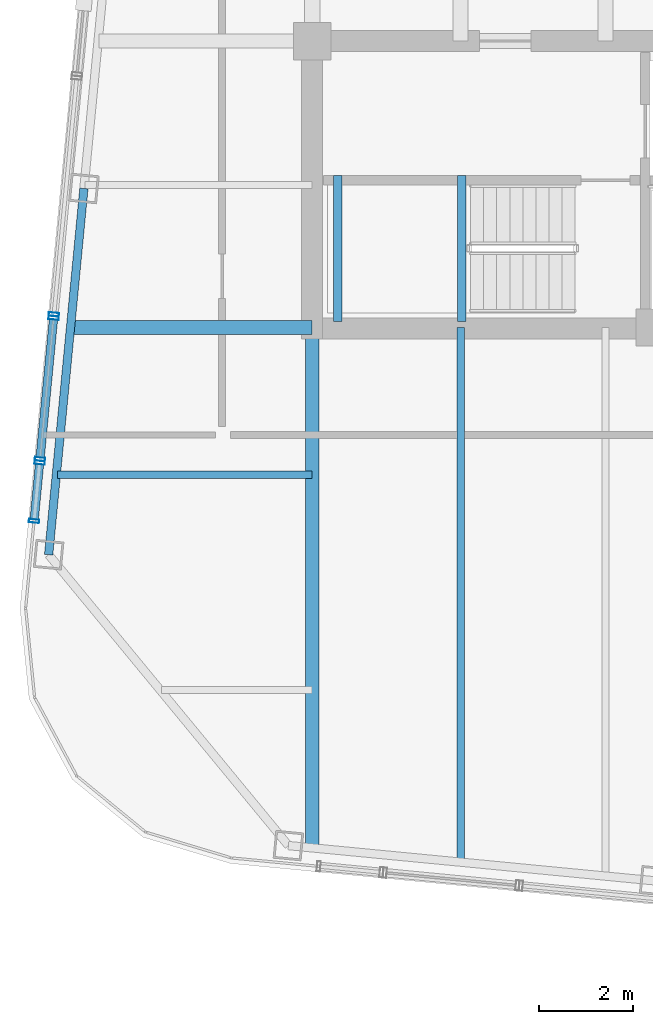
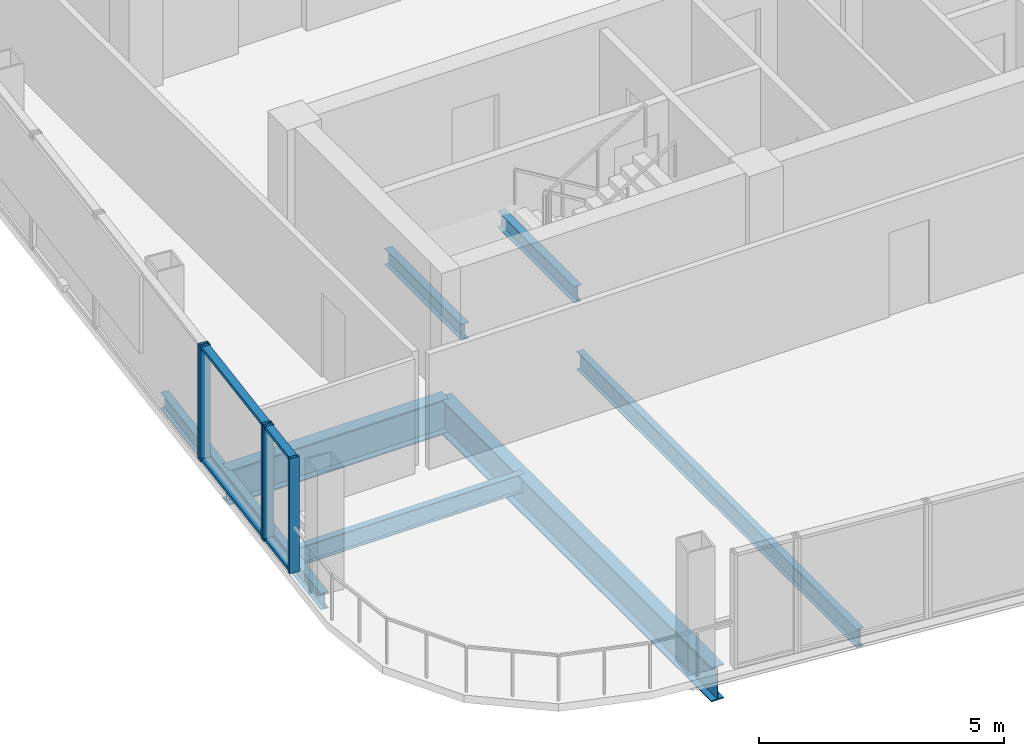
# One storey, part 3 of 26: 9 members, 7 beams, 3 elements without a shape of their own.
"""IFC4 building model written with IfcOpenShell, lengths in metres."""

from ifc_helpers import new_model, si_unit, direction, frame, origin, origin_2d, place, context, subcontext, project, spatial, hollow_rectangle, i_section, extrude, material, layer, layer_set, material_profile, profile_set, type_object, element, aggregate, save


model = new_model("IFC4")

# Units and contexts
model_context = context("Model", 3, precision=1e-05, world=origin(), true_north=direction((0.0, 1.0)))
body_context = subcontext(model_context, "Body", "Model", "MODEL_VIEW")
ifc_project = project(units=[si_unit("LENGTHUNIT", "METRE"), si_unit("AREAUNIT", "SQUARE_METRE"), si_unit("VOLUMEUNIT", "CUBIC_METRE"), si_unit("PLANEANGLEUNIT", "RADIAN"), si_unit("MASSUNIT", "GRAM", prefix="KILO")], contexts=[model_context])

# Site, building, storey
site_placement = place(None, origin())
site = spatial("IfcSite", under=ifc_project, at=site_placement, CompositionType="ELEMENT")
building_placement = place(site_placement, origin())
building = spatial("IfcBuilding", under=site, at=building_placement, Name="Qhalaya Broadcast Tower", CompositionType="ELEMENT")
storey_placement = place(building_placement, frame((0.0, 0.0, 248.949951171875)))
storey = spatial("IfcBuildingStorey", under=building, at=storey_placement, Name="L73", CompositionType="ELEMENT", Elevation=248.949951171875)

# Beams
ifc_material_1 = material(Name="Structural Steel ASTM A992 Grade 50", Category="steel")
ifc_material_profile_1 = material_profile(ifc_material_1, i_section(OverallWidth=0.154052734375, OverallDepth=0.458984375, WebThickness=0.009033203125, FlangeThickness=0.015380859375, at=origin_2d()), Name="W18X46")
ifc_profile_set_1 = profile_set([ifc_material_profile_1], Name="Structural Steel ASTM A992 Grade 50")
beam_type_1 = type_object("IfcBeamType", Name="Composite Floor Joist J04", PredefinedType="JOIST", material=ifc_profile_set_1)
beam_1_placement = place(storey_placement, frame((-6.199951171875, -20.1630859375, -0.41943359375), z_axis=(0.0, 1.0, 0.0), x_axis=(-1.0, 0.0, 0.0)))
element("IfcBeam", 1, at=beam_1_placement, inside=storey, type_object=beam_type_1, Name="L73 J04 L73-JNS1-1", PredefinedType="JOIST", context=body_context, shape_type="SweptSolid", body=[
    extrude(i_section(OverallWidth=0.154052734375, OverallDepth=0.458984375, WebThickness=0.009033203125, FlangeThickness=0.015380859375, at=origin_2d()), origin(), (0.0, 0.0, 1.0), 11.4130859375),
])
beam_2_placement = place(storey_placement, frame((-14.82568359375, -11.89990234375, -0.41943359375), z_axis=(1.0, 0.0, 0.0), x_axis=(0.0, 1.0, 0.0)))
element("IfcBeam", 2, at=beam_2_placement, inside=storey, type_object=beam_type_1, Name="L73 J04 L73-JWE2W-1", PredefinedType="JOIST", context=body_context, shape_type="SweptSolid", body=[
    extrude(i_section(OverallWidth=0.154052734375, OverallDepth=0.458984375, WebThickness=0.009033203125, FlangeThickness=0.015380859375, at=origin_2d()), origin(), (0.0, 0.0, 1.0), 5.45068359375),
])

# Curtain wall, member
ifc_material_2 = material(Name="Fired Architectural Terracotta", Category="masonry")
ifc_layer_1 = layer(ifc_material_2, 0.219970703125, Name="Fired Architectural Terracotta")
ifc_layer_set_1 = layer_set([ifc_layer_1], Name="Fired Architectural Terracotta")
curtain_wall_type_1 = type_object("IfcCurtainWallType", Name="Block-Cap Unitised Terracotta Spandrel Wall CW-07", PredefinedType="NOTDEFINED", material=ifc_layer_set_1)
curtain_wall_1_placement = place(storey_placement, origin())
curtain_wall_1 = element("IfcCurtainWall", 3, at=curtain_wall_1_placement, inside=storey, type_object=curtain_wall_type_1, Name="L73 Unitised Curtain Wall L73-CW-W5", PredefinedType="NOTDEFINED")
ifc_material_3 = material(Name="Anodised Aluminium 6063-T6", Category="aluminium")
ifc_material_profile_2 = material_profile(ifc_material_3, hollow_rectangle(XDim=0.074951171875, YDim=0.219970703125, WallThickness=0.00390625, at=origin_2d()), Name="ALU-MUL 75x220x4")
ifc_profile_set_2 = profile_set([ifc_material_profile_2], Name="Anodised Aluminium 6063-T6")
member_type_1 = type_object("IfcMemberType", Name="Unitised Curtain-Wall Mullion M01", PredefinedType="MULLION", material=ifc_profile_set_2)
member_1_placement = place(storey_placement, frame((-14.8974609375, -8.469970703125, 0.0), z_axis=(0.0, 0.0, 1.0), x_axis=(-0.095849485357, -0.995395838929, 0.0)))
member_1 = element("IfcMember", 4, at=member_1_placement, type_object=member_type_1, Name="CW-07 mullion 2", PredefinedType="MULLION", context=body_context, shape_type="SweptSolid", body=[
    extrude(hollow_rectangle(XDim=0.074951171875, YDim=0.219970703125, WallThickness=0.00390625, at=origin_2d()), origin(), (0.0, 0.0, 1.0), 2.860107421875),
])
aggregate(curtain_wall_1, [member_1])

# Curtain wall, members
ifc_material_4 = material(Name="Solar-Control Low-E Triple Glazing", Category="glass")
ifc_layer_2 = layer(ifc_material_4, 0.219970703125, Name="Solar-Control Low-E Triple Glazing")
ifc_layer_set_2 = layer_set([ifc_layer_2], Name="Solar-Control Low-E Triple Glazing")
curtain_wall_type_2 = type_object("IfcCurtainWallType", Name="High-Altitude Upper-Shaft Triple Low-E Curtain Wall CW-04", PredefinedType="NOTDEFINED", material=ifc_layer_set_2)
curtain_wall_2_placement = place(storey_placement, origin())
curtain_wall_2 = element("IfcCurtainWall", 5, at=curtain_wall_2_placement, inside=storey, type_object=curtain_wall_type_2, Name="L73 Unitised Curtain Wall L73-CW-W6", PredefinedType="NOTDEFINED")
member_2_placement = place(storey_placement, frame((-14.904541015625, -8.544677734375, 0.0), z_axis=(0.0, 0.0, 1.0), x_axis=(-0.095854552953, -0.995395350943, 0.0)))
member_2 = element("IfcMember", 6, at=member_2_placement, type_object=member_type_1, Name="CW-04 mullion 1", PredefinedType="MULLION", context=body_context, shape_type="SweptSolid", body=[
    extrude(hollow_rectangle(XDim=0.074951171875, YDim=0.219970703125, WallThickness=0.00390625, at=origin_2d()), origin(), (0.0, 0.0, 1.0), 2.860107421875),
])
member_3_placement = place(storey_placement, frame((-15.195556640625, -11.565673828125, 0.0), z_axis=(0.0, 0.0, 1.0), x_axis=(-0.095854552953, -0.995395350943, 0.0)))
member_3 = element("IfcMember", 7, at=member_3_placement, type_object=member_type_1, Name="CW-04 mullion 2", PredefinedType="MULLION", context=body_context, shape_type="SweptSolid", body=[
    extrude(hollow_rectangle(XDim=0.074951171875, YDim=0.219970703125, WallThickness=0.00390625, at=origin_2d()), origin(), (0.0, 0.0, 1.0), 2.860107421875),
])

curtain_wall_3_placement = place(storey_placement, origin())
curtain_wall_3 = element("IfcCurtainWall", 8, at=curtain_wall_3_placement, inside=storey, type_object=curtain_wall_type_1, Name="L73 Unitised Curtain Wall L73-CW-W7", PredefinedType="NOTDEFINED")
member_4_placement = place(storey_placement, frame((-15.20263671875, -11.640380859375, 0.0), z_axis=(0.0, 0.0, 1.0), x_axis=(-0.095857322215, -0.995395084264, 0.0)))
member_4 = element("IfcMember", 9, at=member_4_placement, type_object=member_type_1, Name="CW-07 mullion 1", PredefinedType="MULLION", context=body_context, shape_type="SweptSolid", body=[
    extrude(hollow_rectangle(XDim=0.074951171875, YDim=0.219970703125, WallThickness=0.00390625, at=origin_2d()), origin(), (0.0, 0.0, 1.0), 2.860107421875),
])
member_5_placement = place(storey_placement, frame((-15.32275390625, -12.887451171875, 0.0), z_axis=(0.0, 0.0, 1.0), x_axis=(-0.095857322215, -0.995395084264, 0.0)))
member_5 = element("IfcMember", 10, at=member_5_placement, type_object=member_type_1, Name="CW-07 mullion 2", PredefinedType="MULLION", context=body_context, shape_type="SweptSolid", body=[
    extrude(hollow_rectangle(XDim=0.074951171875, YDim=0.219970703125, WallThickness=0.00390625, at=origin_2d()), origin(), (0.0, 0.0, 1.0), 2.860107421875),
])

# Member
ifc_material_profile_3 = material_profile(ifc_material_3, hollow_rectangle(XDim=0.074951171875, YDim=0.179931640625, WallThickness=0.00390625, at=origin_2d()), Name="ALU-TRN 75x180x4")
ifc_profile_set_3 = profile_set([ifc_material_profile_3], Name="Anodised Aluminium 6063-T6")
member_type_2 = type_object("IfcMemberType", Name="Unitised Curtain-Wall Transom T01", PredefinedType="USERDEFINED", material=ifc_profile_set_3)
member_6_placement = place(storey_placement, frame((-14.908203125, -8.58203125, 0.03759765625), z_axis=(-0.095844425832, -0.995396326112, 0.0), x_axis=(0.0, 0.0, 1.0)))
member_6 = element("IfcMember", 11, at=member_6_placement, type_object=member_type_2, Name="CW-04 transom 1.1", ObjectType="TRANSOM", PredefinedType="USERDEFINED", context=body_context, shape_type="SweptSolid", body=[
    extrude(hollow_rectangle(XDim=0.074951171875, YDim=0.179931640625, WallThickness=0.00390625, at=origin_2d()), origin(), (0.0, 0.0, 1.0), 2.9599609375),
])

member_7_placement = place(storey_placement, frame((-14.908203125, -8.58203125, 2.822509765625), z_axis=(-0.095844425832, -0.995396326112, 0.0), x_axis=(0.0, 0.0, 1.0)))
member_7 = element("IfcMember", 12, at=member_7_placement, type_object=member_type_2, Name="CW-04 transom 1.2", ObjectType="TRANSOM", PredefinedType="USERDEFINED", context=body_context, shape_type="SweptSolid", body=[
    extrude(hollow_rectangle(XDim=0.074951171875, YDim=0.179931640625, WallThickness=0.00390625, at=origin_2d()), origin(), (0.0, 0.0, 1.0), 2.9599609375),
])

aggregate(curtain_wall_2, [member_2, member_3, member_6, member_7])

member_8_placement = place(storey_placement, frame((-15.206298828125, -11.677734375, 0.03759765625), z_axis=(-0.095747947597, -0.995405611061, 0.0), x_axis=(0.0, 0.0, 1.0)))
member_8 = element("IfcMember", 13, at=member_8_placement, type_object=member_type_2, Name="CW-07 transom 1.1", ObjectType="TRANSOM", PredefinedType="USERDEFINED", context=body_context, shape_type="SweptSolid", body=[
    extrude(hollow_rectangle(XDim=0.074951171875, YDim=0.179931640625, WallThickness=0.00390625, at=origin_2d()), origin(), (0.0, 0.0, 1.0), 1.177978515625),
])

member_9_placement = place(storey_placement, frame((-15.206298828125, -11.677734375, 2.822509765625), z_axis=(-0.095747947597, -0.995405611061, 0.0), x_axis=(0.0, 0.0, 1.0)))
member_9 = element("IfcMember", 14, at=member_9_placement, type_object=member_type_2, Name="CW-07 transom 1.2", ObjectType="TRANSOM", PredefinedType="USERDEFINED", context=body_context, shape_type="SweptSolid", body=[
    extrude(hollow_rectangle(XDim=0.074951171875, YDim=0.179931640625, WallThickness=0.00390625, at=origin_2d()), origin(), (0.0, 0.0, 1.0), 1.177978515625),
])

aggregate(curtain_wall_3, [member_4, member_5, member_8, member_9])

# Beams
ifc_material_profile_4 = material_profile(ifc_material_1, i_section(OverallWidth=0.2919921875, OverallDepth=0.85888671875, WebThickness=0.01708984375, FlangeThickness=0.031005859375, at=origin_2d()), Name="W33X169")
ifc_profile_set_4 = profile_set([ifc_material_profile_4], Name="Structural Steel ASTM A992 Grade 50")
beam_type_2 = type_object("IfcBeamType", Name="Upper Block Primary Girder PG4", PredefinedType="USERDEFINED", material=ifc_profile_set_4)
beam_3_placement = place(storey_placement, frame((-9.375, -19.857421875, -0.619384765625), z_axis=(0.0, 1.0, 0.0), x_axis=(-1.0, 0.0, 0.0)))
element("IfcBeam", 15, at=beam_3_placement, inside=storey, type_object=beam_type_2, Name="L73 PG4 L73-PGXS1-1", ObjectType="GIRDER", PredefinedType="USERDEFINED", context=body_context, shape_type="SweptSolid", body=[
    extrude(i_section(OverallWidth=0.2919921875, OverallDepth=0.85888671875, WebThickness=0.01708984375, FlangeThickness=0.031005859375, at=origin_2d()), origin(), (0.0, 0.0, 1.0), 11.107421875),
])
beam_4_placement = place(storey_placement, frame((-14.5224609375, -8.75, -0.619384765625), z_axis=(1.0, 0.0, 0.0), x_axis=(0.0, 1.0, 0.0)))
element("IfcBeam", 16, at=beam_4_placement, inside=storey, type_object=beam_type_2, Name="L73 PG4 L73-PGYW1-1", ObjectType="GIRDER", PredefinedType="USERDEFINED", context=body_context, shape_type="SweptSolid", body=[
    extrude(i_section(OverallWidth=0.2919921875, OverallDepth=0.85888671875, WebThickness=0.01708984375, FlangeThickness=0.031005859375, at=origin_2d()), origin(), (0.0, 0.0, 1.0), 5.1474609375),
])
ifc_material_profile_5 = material_profile(ifc_material_1, i_section(OverallWidth=0.177978515625, OverallDepth=0.406005859375, WebThickness=0.0078125, FlangeThickness=0.0126953125, at=origin_2d()), Name="W16X40")
ifc_profile_set_5 = profile_set([ifc_material_profile_5], Name="Structural Steel ASTM A992 Grade 50")
beam_type_3 = type_object("IfcBeamType", Name="Upper Perimeter Spandrel Beam SP2", PredefinedType="SPANDREL", material=ifc_profile_set_5)
beam_5_placement = place(storey_placement, frame((-14.25634765625, -5.77783203125, -0.39306640625), z_axis=(-0.095864972855, -0.995394347472, 0.0), x_axis=(0.995394347472, -0.095864972855, 0.0)))
element("IfcBeam", 17, at=beam_5_placement, inside=storey, type_object=beam_type_3, Name="L73 SP2 L73-SPR-15", PredefinedType="SPANDREL", context=body_context, shape_type="SweptSolid", body=[
    extrude(i_section(OverallWidth=0.177978515625, OverallDepth=0.406005859375, WebThickness=0.0078125, FlangeThickness=0.0126953125, at=origin_2d()), origin(), (0.0, 0.0, 1.0), 7.86669921875),
])
for number, where, z_axis, x_axis, name in (
    (18, (-8.830078125, -8.6201171875, 1.1220703125), (0.0, 1.0, 0.0), (-1.0, 0.0, 0.0), "L73 ST-2 Half-Landing Bearer Beam 1"),
    (19, (-6.175048828125, -8.6201171875, 1.1220703125), (0.0, 1.0, 0.0), (-1.0, 0.0, 0.0), "L73 ST-2 Half-Landing Bearer Beam 2"),
):
    element("IfcBeam", number, at=place(storey_placement, frame(where, z_axis=z_axis, x_axis=x_axis)), inside=storey, type_object=beam_type_3, Name=name, PredefinedType="SPANDREL", context=body_context, shape_type="SweptSolid", body=[
        extrude(i_section(OverallWidth=0.177978515625, OverallDepth=0.406005859375, WebThickness=0.0078125, FlangeThickness=0.0126953125, at=origin_2d()), origin(), (0.0, 0.0, 1.0), 3.1201171875),
    ])

save(model, "model.ifc")
